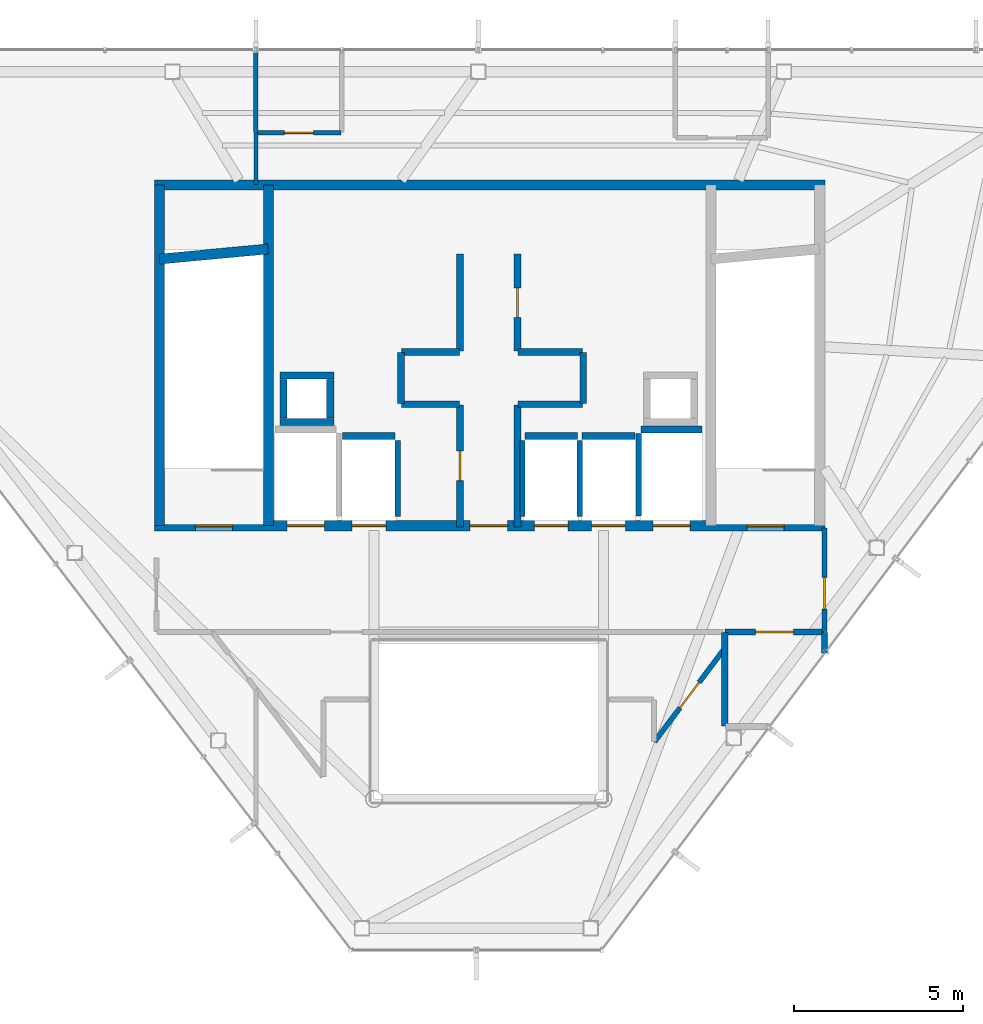
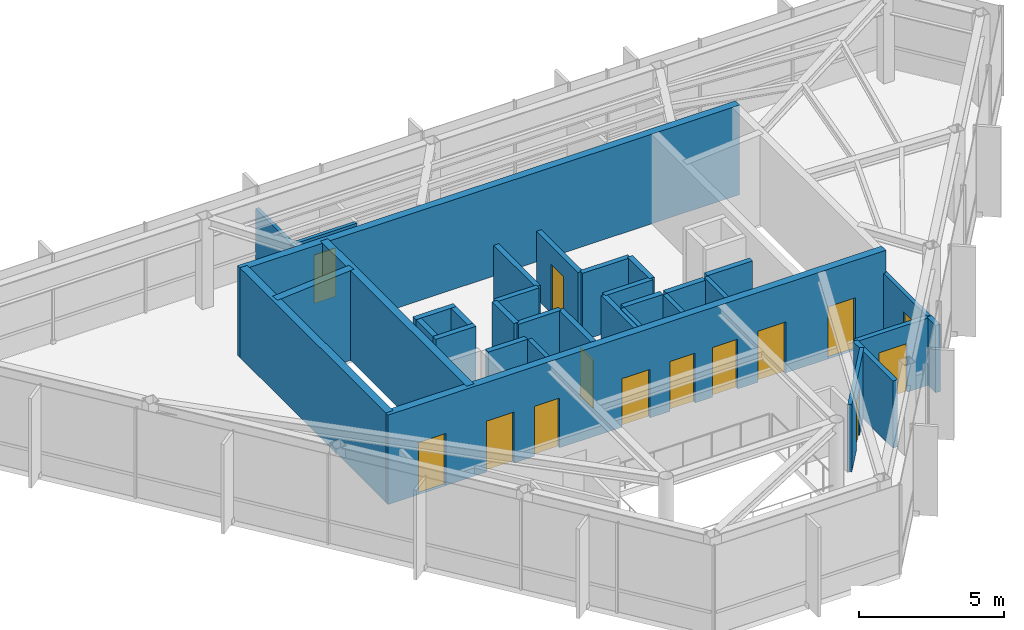
# One storey, part 19 of 21: 35 walls, 14 doors, 14 openings.
"""IFC4 building model written with IfcOpenShell, lengths in metres."""

from ifc_helpers import new_model, si_unit, direction, frame, frame_2d, origin, place, context, subcontext, project, spatial, rectangle, extrude, material, layer, layer_set, type_object, element, fill, save


model = new_model("IFC4")

# Units and contexts
model_context = context("Model", 3, precision=1e-05, world=origin(), true_north=direction((0.0, 1.0)))
body_context = subcontext(model_context, "Body", "Model", "MODEL_VIEW")
ifc_project = project(units=[si_unit("LENGTHUNIT", "METRE"), si_unit("AREAUNIT", "SQUARE_METRE"), si_unit("VOLUMEUNIT", "CUBIC_METRE"), si_unit("PLANEANGLEUNIT", "RADIAN"), si_unit("MASSUNIT", "GRAM", prefix="KILO")], contexts=[model_context])

# Site, building, storey
site_placement = place(None, origin())
site = spatial("IfcSite", under=ifc_project, at=site_placement, CompositionType="ELEMENT")
building_placement = place(site_placement, origin())
building = spatial("IfcBuilding", under=site, at=building_placement, Name="Zarrinselat Tower", CompositionType="ELEMENT")
storey_placement = place(building_placement, frame((0.0, 0.0, 299.199951171875)))
storey = spatial("IfcBuildingStorey", under=building, at=storey_placement, Name="L77", CompositionType="ELEMENT", Elevation=299.199951171875)

# Wall, opening, door
ifc_material_1 = material(Name="Concrete C40/50", Category="concrete")
ifc_layer_1 = layer(ifc_material_1, 0.18994140625)
ifc_layer_set_1 = layer_set([ifc_layer_1], Name="Concrete C40/50")
wall_type_1 = type_object("IfcWallType", Name="WAL-PART-EI120", PredefinedType="PARTITIONING", material=ifc_layer_set_1)
wall_1_placement = place(storey_placement, frame((45.405029296875, 30.14990234375, 0.0), z_axis=(0.0, 0.0, 1.0), x_axis=(1.0, 0.0, 0.0)))
wall_1 = element("IfcWall", 1, at=wall_1_placement, inside=storey, type_object=wall_type_1, Name="L77 Partition Wall 11", PredefinedType="PARTITIONING", context=body_context, shape_type="SweptSolid", body=[
    extrude(rectangle(XDim=2.925048828125, YDim=0.18994140625, at=frame_2d((1.46240234375, 0.0))), origin(), (0.0, 0.0, 1.0), 2.8349609375),
])
opening_1_placement = place(wall_1_placement, frame((0.902587890625, 0.0, 0.0)))
opening_1 = element("IfcOpeningElement", 2, at=opening_1_placement, cuts=wall_1, Name="Opening ID-02", PredefinedType="OPENING", context=body_context, shape_type="SweptSolid", body=[
    extrude(rectangle(XDim=1.1201171875, YDim=2.050048828125, at=frame_2d((0.56005859375, 1.02490234375))), frame((0.0, 0.10498046875, 0.0), z_axis=(0.0, -1.0, 0.0), x_axis=(1.0, 0.0, 0.0)), (0.0, 0.0, 1.0), 0.2099609375),
])
ifc_material_2 = material(Name="Steel S355J2", Category="steel")
door_type_1 = type_object("IfcDoorType", Name="DR-INT-FD60-W", OperationType="NOTDEFINED", PredefinedType="DOOR", material=ifc_material_2)
door_1_placement = place(opening_1_placement, origin())
door_1 = element("IfcDoor", 3, at=door_1_placement, inside=storey, type_object=door_type_1, Name="L77 Interior Door P11", OperationType="SINGLE_SWING_RIGHT", OverallHeight=2.050048828125, OverallWidth=1.1201171875, PredefinedType="DOOR", context=body_context, shape_type="SweptSolid", body=[
    extrude(rectangle(XDim=1.1201171875, YDim=2.050048828125, at=frame_2d((0.56005859375, 1.02490234375))), frame((0.0, 0.02490234375, 0.0), z_axis=(0.0, -1.0, 0.0), x_axis=(1.0, 0.0, 0.0)), (0.0, 0.0, 1.0), 0.050048828125),
])
fill(opening_1, door_1)

# Walls
wall_2_placement = place(storey_placement, frame((45.39990234375, 27.3701171875, 0.0), z_axis=(0.0, 0.0, 1.0), x_axis=(0.0, 1.0, 0.0)))
element("IfcWall", 4, at=wall_2_placement, inside=storey, type_object=wall_type_1, Name="L77 Partition Wall 16", PredefinedType="PARTITIONING", context=body_context, shape_type="SweptSolid", body=[
    extrude(rectangle(XDim=2.759765625, YDim=0.18994140625, at=frame_2d((1.3798828125, 0.0))), origin(), (0.0, 0.0, 1.0), 2.8349609375),
])
wall_3_placement = place(storey_placement, frame((48.35009765625, 29.521240234375, 0.0), z_axis=(0.0, 0.0, 1.0), x_axis=(0.0, 1.0, 0.0)))
element("IfcWall", 5, at=wall_3_placement, inside=storey, type_object=wall_type_1, Name="L77 Partition Wall 18", PredefinedType="PARTITIONING", context=body_context, shape_type="SweptSolid", body=[
    extrude(rectangle(XDim=0.608642578125, YDim=0.18994140625, at=frame_2d((0.30419921875, 0.0))), origin(), (0.0, 0.0, 1.0), 2.8349609375),
])

# Wall, opening, door
ifc_material_3 = material(Name="Fire-Rated Gypsum Board Partition", Category="gypsum")
ifc_layer_2 = layer(ifc_material_3, 0.14990234375)
ifc_layer_set_2 = layer_set([ifc_layer_2], Name="Fire-Rated Gypsum Board Partition")
wall_type_2 = type_object("IfcWallType", Name="WAL-PART-EI60", PredefinedType="PARTITIONING", material=ifc_layer_set_2)
wall_4_placement = place(storey_placement, frame((48.35009765625, 30.169921875, 0.0), z_axis=(0.0, 0.0, 1.0), x_axis=(0.0, 1.0, 0.0)))
wall_4 = element("IfcWall", 6, at=wall_4_placement, inside=storey, type_object=wall_type_2, Name="L77 Partition Wall 15", PredefinedType="PARTITIONING", context=body_context, shape_type="SweptSolid", body=[
    extrude(rectangle(XDim=3.06005859375, YDim=0.14990234375, at=frame_2d((1.530029296875, 0.0))), origin(), (0.0, 0.0, 1.0), 2.8349609375),
])
opening_2_placement = place(wall_4_placement, frame((0.659912109375, 0.0, 0.0)))
opening_2 = element("IfcOpeningElement", 7, at=opening_2_placement, cuts=wall_4, Name="Opening ID-04", PredefinedType="OPENING", context=body_context, shape_type="SweptSolid", body=[
    extrude(rectangle(XDim=0.93994140625, YDim=2.050048828125, at=frame_2d((0.469970703125, 1.02490234375))), frame((0.0, 0.0849609375, 0.0), z_axis=(0.0, -1.0, 0.0), x_axis=(1.0, 0.0, 0.0)), (0.0, 0.0, 1.0), 0.169921875),
])
ifc_material_4 = material(Name="Fire-Rated Gypsum Board Partition")
door_type_2 = type_object("IfcDoorType", Name="DR-INT-FD30-ENT", OperationType="NOTDEFINED", PredefinedType="DOOR", material=ifc_material_4)
door_2_placement = place(opening_2_placement, origin())
door_2 = element("IfcDoor", 8, at=door_2_placement, inside=storey, type_object=door_type_2, Name="L77 Interior Door P15", OperationType="SINGLE_SWING_LEFT", OverallHeight=2.050048828125, OverallWidth=0.93994140625, PredefinedType="DOOR", context=body_context, shape_type="SweptSolid", body=[
    extrude(rectangle(XDim=0.93994140625, YDim=2.050048828125, at=frame_2d((0.469970703125, 1.02490234375))), frame((0.0, 0.02490234375, 0.0), z_axis=(0.0, -1.0, 0.0), x_axis=(1.0, 0.0, 0.0)), (0.0, 0.0, 1.0), 0.050048828125),
])
fill(opening_2, door_2)

wall_5_placement = place(storey_placement, frame((43.31201171875, 26.89794921875, 0.0), z_axis=(0.0, 0.0, 1.0), x_axis=(0.600868916001, 0.799347575079, 0.0)))
wall_5 = element("IfcWall", 9, at=wall_5_placement, inside=storey, type_object=wall_type_2, Name="L77 Partition Wall 19", PredefinedType="PARTITIONING", context=body_context, shape_type="SweptSolid", body=[
    extrude(rectangle(XDim=3.460205078125, YDim=0.14990234375, at=frame_2d((1.72998046875, 0.0))), origin(), (0.0, 0.0, 1.0), 2.8349609375),
])
opening_3_placement = place(wall_5_placement, frame((1.260009765625, 0.0, 0.0)))
opening_3 = element("IfcOpeningElement", 10, at=opening_3_placement, cuts=wall_5, Name="Opening ID-04", PredefinedType="OPENING", context=body_context, shape_type="SweptSolid", body=[
    extrude(rectangle(XDim=0.93994140625, YDim=2.050048828125, at=frame_2d((0.469970703125, 1.02490234375))), frame((0.0, 0.0849609375, 0.0), z_axis=(0.0, -1.0, 0.0), x_axis=(1.0, 0.0, 0.0)), (0.0, 0.0, 1.0), 0.169921875),
])
door_3_placement = place(opening_3_placement, origin())
door_3 = element("IfcDoor", 11, at=door_3_placement, inside=storey, type_object=door_type_2, Name="L77 Interior Door P19", OperationType="SINGLE_SWING_RIGHT", OverallHeight=2.050048828125, OverallWidth=0.93994140625, PredefinedType="DOOR", context=body_context, shape_type="SweptSolid", body=[
    extrude(rectangle(XDim=0.93994140625, YDim=2.050048828125, at=frame_2d((0.469970703125, 1.02490234375))), frame((0.0, 0.02490234375, 0.0), z_axis=(0.0, -1.0, 0.0), x_axis=(1.0, 0.0, 0.0)), (0.0, 0.0, 1.0), 0.050048828125),
])
fill(opening_3, door_3)

ifc_material_5 = material(Name="Concrete C40/50", Category="concrete")
ifc_layer_3 = layer(ifc_material_5, 0.199951171875)
ifc_layer_set_3 = layer_set([ifc_layer_3], Name="Concrete C40/50")
wall_type_3 = type_object("IfcWallType", Name="WAL-PART-PLANT", PredefinedType="PARTITIONING", material=ifc_layer_set_3)
wall_6_placement = place(storey_placement, frame((37.550048828125, 33.264892578125, 0.0), z_axis=(0.0, 0.0, 1.0), x_axis=(0.0, 1.0, 0.0)))
wall_6 = element("IfcWall", 12, at=wall_6_placement, inside=storey, type_object=wall_type_3, Name="L77 Partition Wall 1", PredefinedType="PARTITIONING", context=body_context, shape_type="SweptSolid", body=[
    extrude(rectangle(XDim=3.614990234375, YDim=0.199951171875, at=frame_2d((1.8076171875, 0.0))), origin(), (0.0, 0.0, 1.0), 2.8349609375),
])
opening_4_placement = place(wall_6_placement, frame((1.367431640625, 0.0, 0.0)))
opening_4 = element("IfcOpeningElement", 13, at=opening_4_placement, cuts=wall_6, Name="Opening ID-03", PredefinedType="OPENING", context=body_context, shape_type="SweptSolid", body=[
    extrude(rectangle(XDim=0.8798828125, YDim=2.050048828125, at=frame_2d((0.43994140625, 1.02490234375))), frame((0.0, 0.10986328125, 0.0), z_axis=(0.0, -1.0, 0.0), x_axis=(1.0, 0.0, 0.0)), (0.0, 0.0, 1.0), 0.219970703125),
])
ifc_material_6 = material(Name="Steel S355J2", Category="steel")
door_type_3 = type_object("IfcDoorType", Name="DR-INT-FD60-S", OperationType="NOTDEFINED", PredefinedType="DOOR", material=ifc_material_6)
door_4_placement = place(opening_4_placement, origin())
door_4 = element("IfcDoor", 14, at=door_4_placement, inside=storey, type_object=door_type_3, Name="L77 Interior Door P1", OperationType="SINGLE_SWING_RIGHT", OverallHeight=2.050048828125, OverallWidth=0.8798828125, PredefinedType="DOOR", context=body_context, shape_type="SweptSolid", body=[
    extrude(rectangle(XDim=0.8798828125, YDim=2.050048828125, at=frame_2d((0.43994140625, 1.02490234375))), frame((0.0, 0.02490234375, 0.0), z_axis=(0.0, -1.0, 0.0), x_axis=(1.0, 0.0, 0.0)), (0.0, 0.0, 1.0), 0.050048828125),
])
fill(opening_4, door_4)

# Walls
wall_7_placement = place(storey_placement, frame((35.820068359375, 36.89990234375, 0.0), z_axis=(0.0, 0.0, 1.0), x_axis=(1.0, 0.0, 0.0)))
element("IfcWall", 15, at=wall_7_placement, inside=storey, type_object=wall_type_3, Name="L77 Partition Wall 2", PredefinedType="PARTITIONING", context=body_context, shape_type="SweptSolid", body=[
    extrude(rectangle(XDim=1.7099609375, YDim=0.199951171875, at=frame_2d((0.85498046875, 0.0))), origin(), (0.0, 0.0, 1.0), 2.8349609375),
])
wall_8_placement = place(storey_placement, frame((35.800048828125, 36.919921875, 0.0), z_axis=(0.0, 0.0, 1.0), x_axis=(0.0, 1.0, 0.0)))
element("IfcWall", 16, at=wall_8_placement, inside=storey, type_object=wall_type_3, Name="L77 Partition Wall 3", PredefinedType="PARTITIONING", context=body_context, shape_type="SweptSolid", body=[
    extrude(rectangle(XDim=1.510009765625, YDim=0.199951171875, at=frame_2d((0.7548828125, 0.0))), origin(), (0.0, 0.0, 1.0), 2.8349609375),
])
wall_9_placement = place(storey_placement, frame((35.820068359375, 38.449951171875, 0.0), z_axis=(0.0, 0.0, 1.0), x_axis=(1.0, 0.0, 0.0)))
element("IfcWall", 17, at=wall_9_placement, inside=storey, type_object=wall_type_3, Name="L77 Partition Wall 4", PredefinedType="PARTITIONING", context=body_context, shape_type="SweptSolid", body=[
    extrude(rectangle(XDim=1.7099609375, YDim=0.199951171875, at=frame_2d((0.85498046875, 0.0))), origin(), (0.0, 0.0, 1.0), 2.8349609375),
])
wall_10_placement = place(storey_placement, frame((37.550048828125, 38.469970703125, 0.0), z_axis=(0.0, 0.0, 1.0), x_axis=(0.0, 1.0, 0.0)))
element("IfcWall", 18, at=wall_10_placement, inside=storey, type_object=wall_type_3, Name="L77 Partition Wall 5", PredefinedType="PARTITIONING", context=body_context, shape_type="SweptSolid", body=[
    extrude(rectangle(XDim=2.880126953125, YDim=0.199951171875, at=frame_2d((1.43994140625, 0.0))), origin(), (0.0, 0.0, 1.0), 2.8349609375),
])

# Wall, opening, door
wall_11_placement = place(storey_placement, frame((39.25, 38.469970703125, 0.0), z_axis=(0.0, 0.0, 1.0), x_axis=(0.0, 1.0, 0.0)))
wall_11 = element("IfcWall", 19, at=wall_11_placement, inside=storey, type_object=wall_type_3, Name="L77 Partition Wall 6", PredefinedType="PARTITIONING", context=body_context, shape_type="SweptSolid", body=[
    extrude(rectangle(XDim=2.880126953125, YDim=0.199951171875, at=frame_2d((1.43994140625, 0.0))), origin(), (0.0, 0.0, 1.0), 2.8349609375),
])
opening_5_placement = place(wall_11_placement, frame((1.0, 0.0, 0.0)))
opening_5 = element("IfcOpeningElement", 20, at=opening_5_placement, cuts=wall_11, Name="Opening ID-03", PredefinedType="OPENING", context=body_context, shape_type="SweptSolid", body=[
    extrude(rectangle(XDim=0.8798828125, YDim=2.050048828125, at=frame_2d((0.43994140625, 1.02490234375))), frame((0.0, 0.10986328125, 0.0), z_axis=(0.0, -1.0, 0.0), x_axis=(1.0, 0.0, 0.0)), (0.0, 0.0, 1.0), 0.219970703125),
])
door_5_placement = place(opening_5_placement, origin())
door_5 = element("IfcDoor", 21, at=door_5_placement, inside=storey, type_object=door_type_3, Name="L77 Interior Door P6", OperationType="SINGLE_SWING_LEFT", OverallHeight=2.050048828125, OverallWidth=0.8798828125, PredefinedType="DOOR", context=body_context, shape_type="SweptSolid", body=[
    extrude(rectangle(XDim=0.8798828125, YDim=2.050048828125, at=frame_2d((0.43994140625, 1.02490234375))), frame((0.0, 0.02490234375, 0.0), z_axis=(0.0, -1.0, 0.0), x_axis=(1.0, 0.0, 0.0)), (0.0, 0.0, 1.0), 0.050048828125),
])
fill(opening_5, door_5)

# Walls
wall_12_placement = place(storey_placement, frame((39.27001953125, 38.449951171875, 0.0), z_axis=(0.0, 0.0, 1.0), x_axis=(1.0, 0.0, 0.0)))
element("IfcWall", 22, at=wall_12_placement, inside=storey, type_object=wall_type_3, Name="L77 Partition Wall 7", PredefinedType="PARTITIONING", context=body_context, shape_type="SweptSolid", body=[
    extrude(rectangle(XDim=1.909912109375, YDim=0.199951171875, at=frame_2d((0.955078125, 0.0))), origin(), (0.0, 0.0, 1.0), 2.8349609375),
])
wall_13_placement = place(storey_placement, frame((41.199951171875, 36.919921875, 0.0), z_axis=(0.0, 0.0, 1.0), x_axis=(0.0, 1.0, 0.0)))
element("IfcWall", 23, at=wall_13_placement, inside=storey, type_object=wall_type_3, Name="L77 Partition Wall 8", PredefinedType="PARTITIONING", context=body_context, shape_type="SweptSolid", body=[
    extrude(rectangle(XDim=1.510009765625, YDim=0.199951171875, at=frame_2d((0.7548828125, 0.0))), origin(), (0.0, 0.0, 1.0), 2.8349609375),
])
wall_14_placement = place(storey_placement, frame((39.27001953125, 36.89990234375, 0.0), z_axis=(0.0, 0.0, 1.0), x_axis=(1.0, 0.0, 0.0)))
element("IfcWall", 24, at=wall_14_placement, inside=storey, type_object=wall_type_3, Name="L77 Partition Wall 9", PredefinedType="PARTITIONING", context=body_context, shape_type="SweptSolid", body=[
    extrude(rectangle(XDim=1.909912109375, YDim=0.199951171875, at=frame_2d((0.955078125, 0.0))), origin(), (0.0, 0.0, 1.0), 2.8349609375),
])
wall_15_placement = place(storey_placement, frame((39.25, 33.264892578125, 0.0), z_axis=(0.0, 0.0, 1.0), x_axis=(0.0, 1.0, 0.0)))
element("IfcWall", 25, at=wall_15_placement, inside=storey, type_object=wall_type_3, Name="L77 Partition Wall 10", PredefinedType="PARTITIONING", context=body_context, shape_type="SweptSolid", body=[
    extrude(rectangle(XDim=3.614990234375, YDim=0.199951171875, at=frame_2d((1.8076171875, 0.0))), origin(), (0.0, 0.0, 1.0), 2.8349609375),
])
ifc_material_7 = material(Name="Fire-Rated Gypsum Board Partition", Category="gypsum")
ifc_layer_4 = layer(ifc_material_7, 0.1201171875)
ifc_layer_set_4 = layer_set([ifc_layer_4], Name="Fire-Rated Gypsum Board Partition")
wall_type_4 = type_object("IfcWallType", Name="WAL-PART-STD", PredefinedType="PARTITIONING", material=ifc_layer_set_4)
wall_16_placement = place(storey_placement, frame((31.5, 43.4150390625, 0.0), z_axis=(0.0, 0.0, 1.0), x_axis=(0.0, 1.0, 0.0)))
element("IfcWall", 26, at=wall_16_placement, inside=storey, type_object=wall_type_4, Name="L77 Partition Wall 27", PredefinedType="PARTITIONING", context=body_context, shape_type="SweptSolid", body=[
    extrude(rectangle(XDim=1.52001953125, YDim=0.1201171875, at=frame_2d((0.760009765625, 0.0))), origin(), (0.0, 0.0, 1.0), 2.8349609375),
])
ifc_material_8 = material(Name="Fire-Rated Gypsum Board Partition", Category="gypsum")
ifc_layer_5 = layer(ifc_material_8, 0.135009765625)
ifc_layer_set_5 = layer_set([ifc_layer_5], Name="Fire-Rated Gypsum Board Partition")
wall_type_5 = type_object("IfcWallType", Name="WAL-PART-WET", PredefinedType="PARTITIONING", material=ifc_layer_set_5)
wall_17_placement = place(storey_placement, frame((31.5, 44.945068359375, 0.0), z_axis=(0.0, 0.0, 1.0), x_axis=(0.0, 1.0, 0.0)))
element("IfcWall", 27, at=wall_17_placement, inside=storey, type_object=wall_type_5, Name="L77 Partition Wall 28", PredefinedType="PARTITIONING", context=body_context, shape_type="SweptSolid", body=[
    extrude(rectangle(XDim=2.43994140625, YDim=0.135009765625, at=frame_2d((1.219970703125, 0.0))), origin(), (0.0, 0.0, 1.0), 2.8349609375),
])

# Wall, opening, door
wall_18_placement = place(storey_placement, frame((31.52001953125, 44.93994140625, 0.0), z_axis=(0.0, 0.0, 1.0), x_axis=(1.0, 0.0, 0.0)))
wall_18 = element("IfcWall", 28, at=wall_18_placement, inside=storey, type_object=wall_type_5, Name="L77 Partition Wall 32", PredefinedType="PARTITIONING", context=body_context, shape_type="SweptSolid", body=[
    extrude(rectangle(XDim=2.510009765625, YDim=0.135009765625, at=frame_2d((1.2548828125, 0.0))), origin(), (0.0, 0.0, 1.0), 2.8349609375),
])
opening_6_placement = place(wall_18_placement, frame((0.824951171875, 0.0, 0.0)))
opening_6 = element("IfcOpeningElement", 29, at=opening_6_placement, cuts=wall_18, Name="Opening ID-06", PredefinedType="OPENING", context=body_context, shape_type="SweptSolid", body=[
    extrude(rectangle(XDim=0.860107421875, YDim=2.050048828125, at=frame_2d((0.43017578125, 1.02490234375))), frame((0.0, 0.077392578125, 0.0), z_axis=(0.0, -1.0, 0.0), x_axis=(1.0, 0.0, 0.0)), (0.0, 0.0, 1.0), 0.155029296875),
])
ifc_material_9 = material(Name="Extruded Aluminium Alloy EN AW-6063 T6", Category="aluminium")
door_type_4 = type_object("IfcDoorType", Name="DR-INT-WET-900", OperationType="NOTDEFINED", PredefinedType="DOOR", material=ifc_material_9)
door_6_placement = place(opening_6_placement, origin())
door_6 = element("IfcDoor", 30, at=door_6_placement, inside=storey, type_object=door_type_4, Name="L77 Interior Door P32", OperationType="SINGLE_SWING_LEFT", OverallHeight=2.050048828125, OverallWidth=0.860107421875, PredefinedType="DOOR", context=body_context, shape_type="SweptSolid", body=[
    extrude(rectangle(XDim=0.860107421875, YDim=2.050048828125, at=frame_2d((0.43017578125, 1.02490234375))), frame((0.0, 0.02490234375, 0.0), z_axis=(0.0, -1.0, 0.0), x_axis=(1.0, 0.0, 0.0)), (0.0, 0.0, 1.0), 0.050048828125),
])
fill(opening_6, door_6)

# Walls
ifc_material_10 = material(Name="Concrete C40/50", Category="concrete")
ifc_layer_6 = layer(ifc_material_10, 0.2099609375)
ifc_layer_set_6 = layer_set([ifc_layer_6], Name="Concrete C40/50")
wall_type_6 = type_object("IfcWallType", Name="WAL-SHAFT-210", PredefinedType="SOLIDWALL", material=ifc_layer_set_6)
wall_19_placement = place(storey_placement, frame((42.919921875, 36.155029296875, 0.0), z_axis=(0.0, 0.0, 1.0), x_axis=(1.0, 0.0, 0.0)))
element("IfcWall", 31, at=wall_19_placement, inside=storey, type_object=wall_type_6, Name="L77 Lift FFL2 North Shaft Wall", PredefinedType="SOLIDWALL", context=body_context, shape_type="SweptSolid", body=[
    extrude(rectangle(XDim=1.800048828125, YDim=0.2099609375, at=frame_2d((0.89990234375, 0.0))), origin(), (0.0, 0.0, 1.0), 2.85009765625),
])
wall_20_placement = place(storey_placement, frame((42.85009765625, 33.580078125, 0.0), z_axis=(0.0, 0.0, 1.0), x_axis=(0.0, 1.0, 0.0)))
element("IfcWall", 32, at=wall_20_placement, inside=storey, type_object=wall_type_6, Name="L77 Lift FFL2 W Shaft Wall", PredefinedType="SOLIDWALL", context=body_context, shape_type="SweptSolid", body=[
    extrude(rectangle(XDim=2.449951171875, YDim=0.159912109375, at=frame_2d((1.22509765625, 0.0))), origin(), (0.0, 0.0, 1.0), 2.85009765625),
])
wall_21_placement = place(storey_placement, frame((39.469970703125, 35.955078125, 0.0), z_axis=(0.0, 0.0, 1.0), x_axis=(1.0, 0.0, 0.0)))
element("IfcWall", 33, at=wall_21_placement, inside=storey, type_object=wall_type_6, Name="L77 Lift PL8 North Shaft Wall", PredefinedType="SOLIDWALL", context=body_context, shape_type="SweptSolid", body=[
    extrude(rectangle(XDim=1.56005859375, YDim=0.2099609375, at=frame_2d((0.780029296875, 0.0))), origin(), (0.0, 0.0, 1.0), 2.85009765625),
])
for number, where, z_axis, x_axis, name in (
    (34, (39.39990234375, 33.580078125, 0.0), (0.0, 0.0, 1.0), (0.0, 1.0, 0.0), "L77 Lift PL8 W Shaft Wall"),
    (35, (41.10009765625, 33.580078125, 0.0), (0.0, 0.0, 1.0), (0.0, 1.0, 0.0), "L77 Lift PL8 E Shaft Wall"),
):
    element("IfcWall", number, at=place(storey_placement, frame(where, z_axis=z_axis, x_axis=x_axis)), inside=storey, type_object=wall_type_6, Name=name, PredefinedType="SOLIDWALL", context=body_context, shape_type="SweptSolid", body=[
        extrude(rectangle(XDim=2.25, YDim=0.159912109375, at=frame_2d((1.125, 0.0))), origin(), (0.0, 0.0, 1.0), 2.85009765625),
    ])
wall_22_placement = place(storey_placement, frame((41.169921875, 35.955078125, 0.0), z_axis=(0.0, 0.0, 1.0), x_axis=(1.0, 0.0, 0.0)))
element("IfcWall", 36, at=wall_22_placement, inside=storey, type_object=wall_type_6, Name="L77 Lift PL9 North Shaft Wall", PredefinedType="SOLIDWALL", context=body_context, shape_type="SweptSolid", body=[
    extrude(rectangle(XDim=1.56005859375, YDim=0.2099609375, at=frame_2d((0.780029296875, 0.0))), origin(), (0.0, 0.0, 1.0), 2.85009765625),
])
wall_23_placement = place(storey_placement, frame((34.070068359375, 35.955078125, 0.0), z_axis=(0.0, 0.0, 1.0), x_axis=(1.0, 0.0, 0.0)))
element("IfcWall", 37, at=wall_23_placement, inside=storey, type_object=wall_type_6, Name="L77 Lift PL10 North Shaft Wall", PredefinedType="SOLIDWALL", context=body_context, shape_type="SweptSolid", body=[
    extrude(rectangle(XDim=1.559814453125, YDim=0.2099609375, at=frame_2d((0.77978515625, 0.0))), origin(), (0.0, 0.0, 1.0), 2.85009765625),
])
wall_24_placement = place(storey_placement, frame((35.699951171875, 33.580078125, 0.0), z_axis=(0.0, 0.0, 1.0), x_axis=(0.0, 1.0, 0.0)))
element("IfcWall", 38, at=wall_24_placement, inside=storey, type_object=wall_type_6, Name="L77 Lift PL10 E Shaft Wall", PredefinedType="SOLIDWALL", context=body_context, shape_type="SweptSolid", body=[
    extrude(rectangle(XDim=2.25, YDim=0.159912109375, at=frame_2d((1.125, 0.0))), origin(), (0.0, 0.0, 1.0), 2.85009765625),
])
for number, where, z_axis, x_axis, name in (
    (39, (32.2099609375, 36.375, 0.0), (0.0, 0.0, 1.0), (1.0, 0.0, 0.0), "L77 Core Riser RSR-W S Shaft Wall"),
    (40, (32.2099609375, 37.7451171875, 0.0), (0.0, 0.0, 1.0), (1.0, 0.0, 0.0), "L77 Core Riser RSR-W N Shaft Wall"),
):
    element("IfcWall", number, at=place(storey_placement, frame(where, z_axis=z_axis, x_axis=x_axis)), inside=storey, type_object=wall_type_6, Name=name, PredefinedType="SOLIDWALL", context=body_context, shape_type="SweptSolid", body=[
        extrude(rectangle(XDim=1.60009765625, YDim=0.2099609375, at=frame_2d((0.800048828125, 0.0))), origin(), (0.0, 0.0, 1.0), 3.780029296875),
    ])
for number, where, z_axis, x_axis, name in (
    (41, (32.31494140625, 36.485107421875, 0.0), (0.0, 0.0, 1.0), (0.0, 1.0, 0.0), "L77 Core Riser RSR-W W Shaft Wall"),
    (42, (33.705078125, 36.485107421875, 0.0), (0.0, 0.0, 1.0), (0.0, 1.0, 0.0), "L77 Core Riser RSR-W E Shaft Wall"),
):
    element("IfcWall", number, at=place(storey_placement, frame(where, z_axis=z_axis, x_axis=x_axis)), inside=storey, type_object=wall_type_6, Name=name, PredefinedType="SOLIDWALL", context=body_context, shape_type="SweptSolid", body=[
        extrude(rectangle(XDim=1.14990234375, YDim=0.2099609375, at=frame_2d((0.574951171875, 0.0))), origin(), (0.0, 0.0, 1.0), 3.780029296875),
    ])
ifc_material_11 = material(Name="Concrete C40/50", Category="concrete")
ifc_layer_7 = layer(ifc_material_11, 0.300048828125)
ifc_layer_set_7 = layer_set([ifc_layer_7], Name="Concrete C40/50")
wall_type_7 = type_object("IfcWallType", Name="WAL-SHEAR-300", PredefinedType="SHEAR", material=ifc_layer_set_7)
wall_25_placement = place(storey_placement, frame((28.5, 43.39990234375, 0.0), z_axis=(0.0, 0.0, 1.0), x_axis=(1.0, 0.0, 0.0)))
element("IfcWall", 43, at=wall_25_placement, inside=storey, type_object=wall_type_7, Name="L77 North Core Shear Wall", PredefinedType="SHEAR", context=body_context, shape_type="SweptSolid", body=[
    extrude(rectangle(XDim=19.860107421875, YDim=0.300048828125, at=frame_2d((9.93017578125, 0.0))), origin(), (0.0, 0.0, 1.0), 3.780029296875),
])

# Wall, openings, doors
wall_26_placement = place(storey_placement, frame((28.5, 33.300048828125, 0.0), z_axis=(0.0, 0.0, 1.0), x_axis=(1.0, 0.0, 0.0)))
wall_26 = element("IfcWall", 44, at=wall_26_placement, inside=storey, type_object=wall_type_7, Name="L77 South Core Shear Wall", PredefinedType="SHEAR", context=body_context, shape_type="SweptSolid", body=[
    extrude(rectangle(XDim=19.860107421875, YDim=0.300048828125, at=frame_2d((9.93017578125, 0.0))), origin(), (0.0, 0.0, 1.0), 3.780029296875),
])
opening_7_placement = place(wall_26_placement, frame((3.929931640625, 0.0, 0.0)))
opening_7 = element("IfcOpeningElement", 45, at=opening_7_placement, cuts=wall_26, Name="Opening LD-FFL1", PredefinedType="OPENING", context=body_context, shape_type="SweptSolid", body=[
    extrude(rectangle(XDim=1.10009765625, YDim=2.14990234375, at=frame_2d((0.550048828125, 1.074951171875))), frame((0.0, 0.159912109375, 0.0), z_axis=(0.0, -1.0, 0.0), x_axis=(1.0, 0.0, 0.0)), (0.0, 0.0, 1.0), 0.320068359375),
])
opening_8_placement = place(wall_26_placement, frame((14.77001953125, 0.0, 0.0)))
opening_8 = element("IfcOpeningElement", 46, at=opening_8_placement, cuts=wall_26, Name="Opening LD-FFL2", PredefinedType="OPENING", context=body_context, shape_type="SweptSolid", body=[
    extrude(rectangle(XDim=1.10009765625, YDim=2.14990234375, at=frame_2d((0.550048828125, 1.074951171875))), frame((0.0, 0.159912109375, 0.0), z_axis=(0.0, -1.0, 0.0), x_axis=(1.0, 0.0, 0.0)), (0.0, 0.0, 1.0), 0.320068359375),
])
opening_9_placement = place(wall_26_placement, frame((11.25, 0.0, 0.0)))
opening_9 = element("IfcOpeningElement", 47, at=opening_9_placement, cuts=wall_26, Name="Opening LD-PL8", PredefinedType="OPENING", context=body_context, shape_type="SweptSolid", body=[
    extrude(rectangle(XDim=1.0, YDim=2.10009765625, at=frame_2d((0.5, 1.050048828125))), frame((0.0, 0.159912109375, 0.0), z_axis=(0.0, -1.0, 0.0), x_axis=(1.0, 0.0, 0.0)), (0.0, 0.0, 1.0), 0.320068359375),
])
opening_10_placement = place(wall_26_placement, frame((12.949951171875, 0.0, 0.0)))
opening_10 = element("IfcOpeningElement", 48, at=opening_10_placement, cuts=wall_26, Name="Opening LD-PL9", PredefinedType="OPENING", context=body_context, shape_type="SweptSolid", body=[
    extrude(rectangle(XDim=1.0, YDim=2.10009765625, at=frame_2d((0.5, 1.050048828125))), frame((0.0, 0.159912109375, 0.0), z_axis=(0.0, -1.0, 0.0), x_axis=(1.0, 0.0, 0.0)), (0.0, 0.0, 1.0), 0.320068359375),
])
opening_11_placement = place(wall_26_placement, frame((5.85009765625, 0.0, 0.0)))
opening_11 = element("IfcOpeningElement", 49, at=opening_11_placement, cuts=wall_26, Name="Opening LD-PL10", PredefinedType="OPENING", context=body_context, shape_type="SweptSolid", body=[
    extrude(rectangle(XDim=1.0, YDim=2.10009765625, at=frame_2d((0.5, 1.050048828125))), frame((0.0, 0.159912109375, 0.0), z_axis=(0.0, -1.0, 0.0), x_axis=(1.0, 0.0, 0.0)), (0.0, 0.0, 1.0), 0.320068359375),
])
opening_12_placement = place(wall_26_placement, frame((1.2099609375, 0.0, 0.0)))
opening_12 = element("IfcOpeningElement", 50, at=opening_12_placement, cuts=wall_26, Name="Opening SD-01", PredefinedType="OPENING", context=body_context, shape_type="SweptSolid", body=[
    extrude(rectangle(XDim=1.10009765625, YDim=2.199951171875, at=frame_2d((0.550048828125, 1.10009765625))), frame((0.0, 0.159912109375, 0.0), z_axis=(0.0, -1.0, 0.0), x_axis=(1.0, 0.0, 0.0)), (0.0, 0.0, 1.0), 0.320068359375),
])
opening_13_placement = place(wall_26_placement, frame((9.340087890625, 0.0, 0.0)))
opening_13 = element("IfcOpeningElement", 51, at=opening_13_placement, cuts=wall_26, Name="Opening ID-02", PredefinedType="OPENING", context=body_context, shape_type="SweptSolid", body=[
    extrude(rectangle(XDim=1.1201171875, YDim=2.050048828125, at=frame_2d((0.56005859375, 1.02490234375))), frame((0.0, 0.159912109375, 0.0), z_axis=(0.0, -1.0, 0.0), x_axis=(1.0, 0.0, 0.0)), (0.0, 0.0, 1.0), 0.320068359375),
])
opening_14_placement = place(wall_26_placement, frame((17.550048828125, 0.0, 0.0)))
opening_14 = element("IfcOpeningElement", 52, at=opening_14_placement, cuts=wall_26, Name="Opening SD-01", PredefinedType="OPENING", context=body_context, shape_type="SweptSolid", body=[
    extrude(rectangle(XDim=1.10009765625, YDim=2.199951171875, at=frame_2d((0.550048828125, 1.10009765625))), frame((0.0, 0.159912109375, 0.0), z_axis=(0.0, -1.0, 0.0), x_axis=(1.0, 0.0, 0.0)), (0.0, 0.0, 1.0), 0.320068359375),
])
door_7_placement = place(opening_13_placement, origin())
door_7 = element("IfcDoor", 53, at=door_7_placement, inside=storey, type_object=door_type_1, Name="L77 Core Service Vestibule Fire Door", OperationType="SINGLE_SWING_LEFT", OverallHeight=2.050048828125, OverallWidth=1.1201171875, PredefinedType="DOOR", context=body_context, shape_type="SweptSolid", body=[
    extrude(rectangle(XDim=1.1201171875, YDim=2.050048828125, at=frame_2d((0.56005859375, 1.02490234375))), frame((0.0, 0.02490234375, 0.0), z_axis=(0.0, -1.0, 0.0), x_axis=(1.0, 0.0, 0.0)), (0.0, 0.0, 1.0), 0.050048828125),
])
fill(opening_13, door_7)
ifc_material_12 = material(Name="Steel S355J2", Category="steel")
door_type_5 = type_object("IfcDoorType", Name="DR-LIFT-FF-1100", OperationType="NOTDEFINED", PredefinedType="DOOR", material=ifc_material_12)
door_8_placement = place(opening_7_placement, origin())
door_8 = element("IfcDoor", 54, at=door_8_placement, inside=storey, type_object=door_type_5, Name="L77 Lift FFL1 Sliding Landing Door", OperationType="SLIDING_TO_LEFT", OverallHeight=2.14990234375, OverallWidth=1.10009765625, PredefinedType="DOOR", context=body_context, shape_type="SweptSolid", body=[
    extrude(rectangle(XDim=1.10009765625, YDim=2.14990234375, at=frame_2d((0.550048828125, 1.074951171875))), frame((0.0, 0.02490234375, 0.0), z_axis=(0.0, -1.0, 0.0), x_axis=(1.0, 0.0, 0.0)), (0.0, 0.0, 1.0), 0.050048828125),
])
fill(opening_7, door_8)
door_9_placement = place(opening_8_placement, origin())
door_9 = element("IfcDoor", 55, at=door_9_placement, inside=storey, type_object=door_type_5, Name="L77 Lift FFL2 Sliding Landing Door", OperationType="SLIDING_TO_RIGHT", OverallHeight=2.14990234375, OverallWidth=1.10009765625, PredefinedType="DOOR", context=body_context, shape_type="SweptSolid", body=[
    extrude(rectangle(XDim=1.10009765625, YDim=2.14990234375, at=frame_2d((0.550048828125, 1.074951171875))), frame((0.0, 0.02490234375, 0.0), z_axis=(0.0, -1.0, 0.0), x_axis=(1.0, 0.0, 0.0)), (0.0, 0.0, 1.0), 0.050048828125),
])
fill(opening_8, door_9)
ifc_material_13 = material(Name="Steel S355J2", Category="steel")
door_type_6 = type_object("IfcDoorType", Name="DR-LIFT-PS-1000", OperationType="NOTDEFINED", PredefinedType="DOOR", material=ifc_material_13)
door_10_placement = place(opening_9_placement, origin())
door_10 = element("IfcDoor", 56, at=door_10_placement, inside=storey, type_object=door_type_6, Name="L77 Lift PL8 Sliding Landing Door", OperationType="SLIDING_TO_RIGHT", OverallHeight=2.10009765625, OverallWidth=1.0, PredefinedType="DOOR", context=body_context, shape_type="SweptSolid", body=[
    extrude(rectangle(XDim=1.0, YDim=2.10009765625, at=frame_2d((0.5, 1.050048828125))), frame((0.0, 0.02490234375, 0.0), z_axis=(0.0, -1.0, 0.0), x_axis=(1.0, 0.0, 0.0)), (0.0, 0.0, 1.0), 0.050048828125),
])
fill(opening_9, door_10)
door_11_placement = place(opening_10_placement, origin())
door_11 = element("IfcDoor", 57, at=door_11_placement, inside=storey, type_object=door_type_6, Name="L77 Lift PL9 Sliding Landing Door", OperationType="SLIDING_TO_LEFT", OverallHeight=2.10009765625, OverallWidth=1.0, PredefinedType="DOOR", context=body_context, shape_type="SweptSolid", body=[
    extrude(rectangle(XDim=1.0, YDim=2.10009765625, at=frame_2d((0.5, 1.050048828125))), frame((0.0, 0.02490234375, 0.0), z_axis=(0.0, -1.0, 0.0), x_axis=(1.0, 0.0, 0.0)), (0.0, 0.0, 1.0), 0.050048828125),
])
fill(opening_10, door_11)
door_12_placement = place(opening_11_placement, origin())
door_12 = element("IfcDoor", 58, at=door_12_placement, inside=storey, type_object=door_type_6, Name="L77 Lift PL10 Sliding Landing Door", OperationType="SLIDING_TO_RIGHT", OverallHeight=2.10009765625, OverallWidth=1.0, PredefinedType="DOOR", context=body_context, shape_type="SweptSolid", body=[
    extrude(rectangle(XDim=1.0, YDim=2.10009765625, at=frame_2d((0.5, 1.050048828125))), frame((0.0, 0.02490234375, 0.0), z_axis=(0.0, -1.0, 0.0), x_axis=(1.0, 0.0, 0.0)), (0.0, 0.0, 1.0), 0.050048828125),
])
fill(opening_11, door_12)
ifc_material_14 = material(Name="Steel S355J2", Category="steel")
door_type_7 = type_object("IfcDoorType", Name="DR-STAIR-1100", OperationType="NOTDEFINED", PredefinedType="DOOR", material=ifc_material_14)
door_13_placement = place(opening_12_placement, origin())
door_13 = element("IfcDoor", 59, at=door_13_placement, inside=storey, type_object=door_type_7, Name="L77 Exit Stair 1 Fire Door", OperationType="SINGLE_SWING_LEFT", OverallHeight=2.199951171875, OverallWidth=1.10009765625, PredefinedType="DOOR", context=body_context, shape_type="SweptSolid", body=[
    extrude(rectangle(XDim=1.10009765625, YDim=2.199951171875, at=frame_2d((0.550048828125, 1.10009765625))), frame((0.0, 0.02490234375, 0.0), z_axis=(0.0, -1.0, 0.0), x_axis=(1.0, 0.0, 0.0)), (0.0, 0.0, 1.0), 0.050048828125),
])
fill(opening_12, door_13)
door_14_placement = place(opening_14_placement, origin())
door_14 = element("IfcDoor", 60, at=door_14_placement, inside=storey, type_object=door_type_7, Name="L77 Exit Stair 2 Fire Door", OperationType="SINGLE_SWING_RIGHT", OverallHeight=2.199951171875, OverallWidth=1.10009765625, PredefinedType="DOOR", context=body_context, shape_type="SweptSolid", body=[
    extrude(rectangle(XDim=1.10009765625, YDim=2.199951171875, at=frame_2d((0.550048828125, 1.10009765625))), frame((0.0, 0.02490234375, 0.0), z_axis=(0.0, -1.0, 0.0), x_axis=(1.0, 0.0, 0.0)), (0.0, 0.0, 1.0), 0.050048828125),
])
fill(opening_14, door_14)

# Walls
for number, where, z_axis, x_axis, name in (
    (61, (28.64990234375, 33.300048828125, 0.0), (0.0, 0.0, 1.0), (0.0, 1.0, 0.0), "L77 Core Shear Wall W"),
    (62, (31.8701171875, 33.300048828125, 0.0), (0.0, 0.0, 1.0), (0.0, 1.0, 0.0), "L77 Core Shear Wall ST1E"),
):
    element("IfcWall", number, at=place(storey_placement, frame(where, z_axis=z_axis, x_axis=x_axis)), inside=storey, type_object=wall_type_7, Name=name, PredefinedType="SHEAR", context=body_context, shape_type="SweptSolid", body=[
        extrude(rectangle(XDim=10.099853515625, YDim=0.300048828125, at=frame_2d((5.0498046875, 0.0))), origin(), (0.0, 0.0, 1.0), 3.780029296875),
    ])
wall_27_placement = place(storey_placement, frame((28.639892578125, 41.199951171875, 0.0), z_axis=(0.0, 0.0, 1.0), x_axis=(0.995687118776, 0.092774789157, 0.0)))
element("IfcWall", 63, at=wall_27_placement, inside=storey, type_object=wall_type_7, Name="L77 Stair 1 North Shaft Wall", PredefinedType="SHEAR", context=body_context, shape_type="SweptSolid", body=[
    extrude(rectangle(XDim=3.234130859375, YDim=0.300048828125, at=frame_2d((1.6171875, 0.0))), origin(), (0.0, 0.0, 1.0), 3.780029296875),
])

save(model, "model.ifc")
